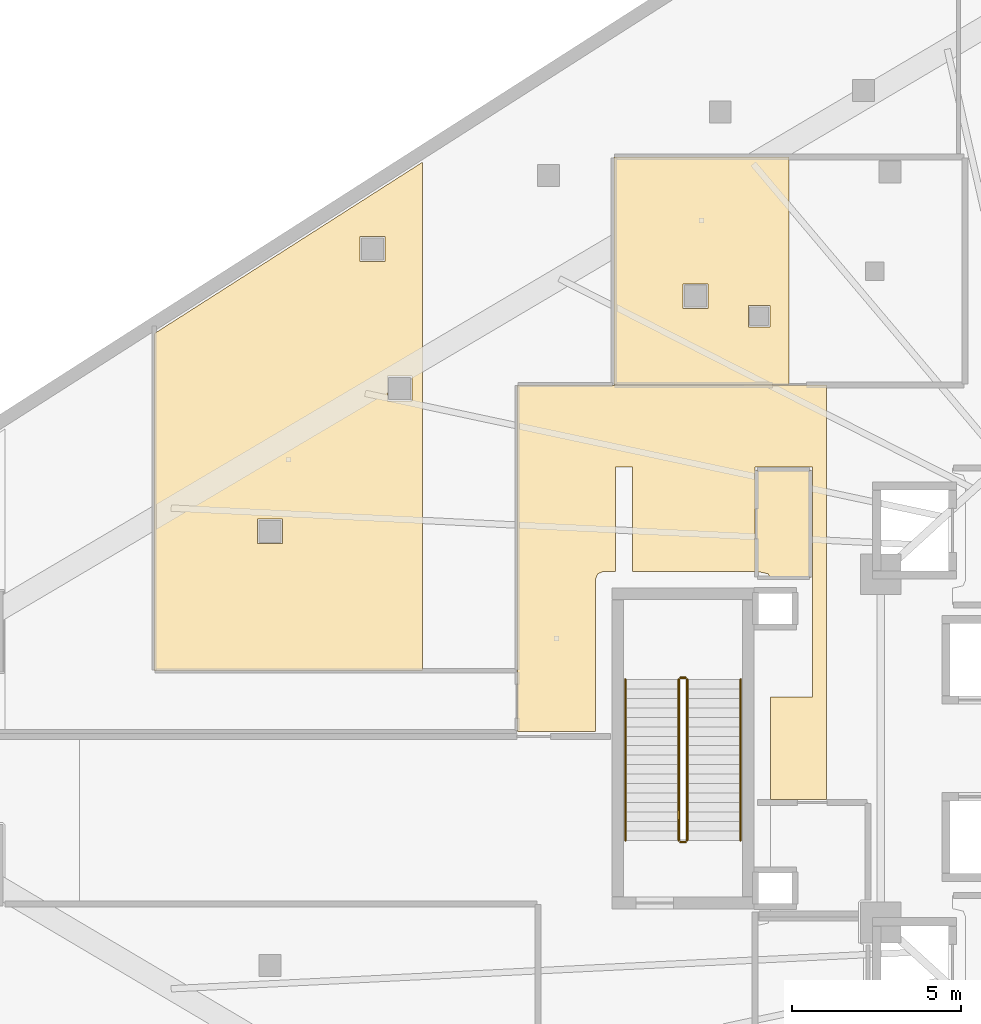
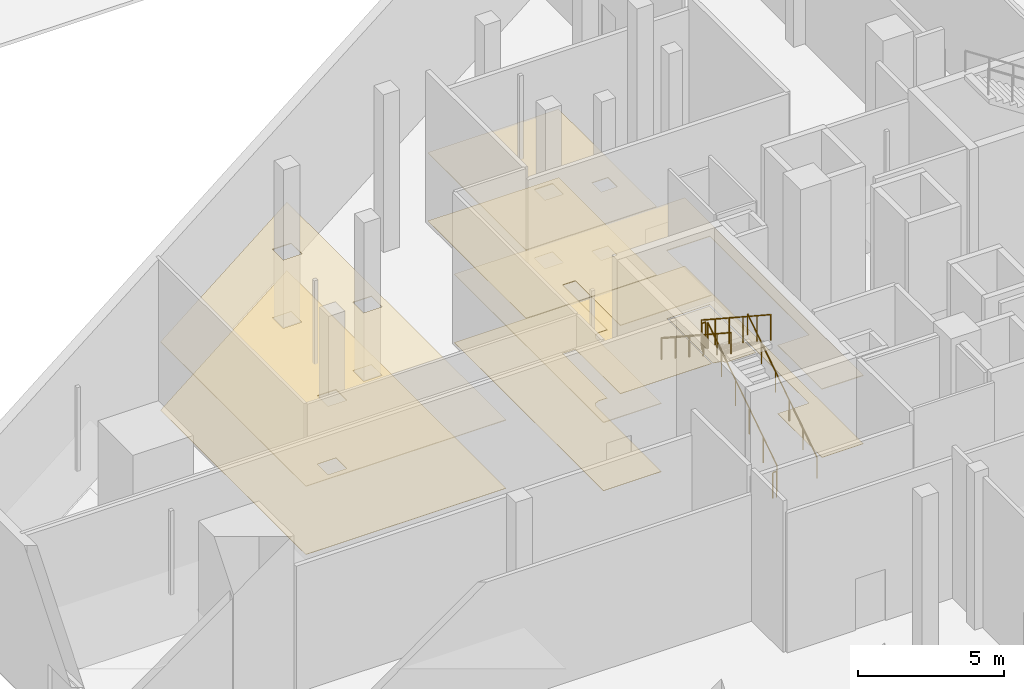
# One storey, part 40 of 45: 7 coverings, 6 railings.
"""IFC4 building model written with IfcOpenShell, lengths in metres."""

from ifc_helpers import new_model, si_unit, direction, frame, origin, origin_2d, place, context, subcontext, project, spatial, polyline, circle, outline, extrude, material, layer, layer_set, type_object, element, save


model = new_model("IFC4")

# Units and contexts
model_context = context("Model", 3, precision=1e-05, world=origin(), true_north=direction((0.0, 1.0)))
body_context = subcontext(model_context, "Body", "Model", "MODEL_VIEW")
ifc_project = project(units=[si_unit("LENGTHUNIT", "METRE"), si_unit("AREAUNIT", "SQUARE_METRE"), si_unit("VOLUMEUNIT", "CUBIC_METRE"), si_unit("PLANEANGLEUNIT", "RADIAN"), si_unit("MASSUNIT", "GRAM", prefix="KILO")], contexts=[model_context])

# Site, building, storey
site_placement = place(None, origin())
site = spatial("IfcSite", under=ifc_project, at=site_placement, CompositionType="ELEMENT")
building_placement = place(site_placement, origin())
building = spatial("IfcBuilding", under=site, at=building_placement, Name="Qorvath Tower", CompositionType="ELEMENT")
storey_placement = place(building_placement, origin())
storey = spatial("IfcBuildingStorey", under=building, at=storey_placement, Name="L00", CompositionType="ELEMENT", Elevation=0.0)

# Coverings
ifc_material_1 = material(Name="Acoustic mineral fibre ceiling tile", Category="gypsum")
ifc_layer_1 = layer(ifc_material_1, 0.030029296875)
ifc_layer_set_1 = layer_set([ifc_layer_1], Name="COV-CEIL")
covering_type_1 = type_object("IfcCoveringType", Name="COV-CEIL", PredefinedType="CEILING", material=ifc_layer_set_1)
covering_1_placement = place(storey_placement, frame((0.0, 0.0, 2.85009765625)))
element("IfcCovering", 1, at=covering_1_placement, inside=storey, type_object=covering_type_1, Name="L00 Suspended Acoustic Ceiling 008", PredefinedType="CEILING", context=body_context, shape_type="SweptSolid", body=[
    extrude(outline(polyline([(-32.52001953125, 1.514892578125), (-33.760009765625, 1.514892578125), (-33.760009765625, -1.514892578125), (-32.114990234375, -1.514892578125), (-32.114990234375, 10.74609375), (-41.2451171875, 10.7451171875), (-41.2451171875, 0.5048828125), (-38.949951171875, 0.5048828125), (-38.949951171875, 4.989990234375), (-38.876708984375, 5.166748046875), (-38.699951171875, 5.239990234375), (-38.35498046875, 5.239990234375), (-38.35009765625, 8.324951171875), (-37.844970703125, 8.320068359375), (-37.844970703125, 5.239990234375), (-34.22509765625, 5.239990234375), (-34.2236328125, 8.323486328125), (-32.516357421875, 8.323486328125), (-32.52001953125, 1.514892578125)])), origin(), (0.0, 0.0, 1.0), 0.030029296875),
])
covering_2_placement = place(storey_placement, frame((0.0, 0.0, 2.85009765625)))
element("IfcCovering", 2, at=covering_2_placement, inside=storey, type_object=covering_type_1, Name="L00 Suspended Acoustic Ceiling 009", PredefinedType="CEILING", context=body_context, shape_type="SweptSolid", body=[
    extrude(outline(polyline([(-33.216064453125, 10.762939453125), (-33.216064453125, 17.4951171875), (-38.39501953125, 17.4951171875), (-38.39501953125, 10.762939453125), (-33.216064453125, 10.762939453125)]), holes=[polyline([(-34.421630859375, 13.10986328125), (-33.786865234375, 13.10986328125), (-33.786865234375, 12.47509765625), (-34.421630859375, 12.47509765625), (-34.421630859375, 13.10986328125)]), polyline([(-36.34814453125, 13.748291015625), (-35.61328125, 13.748291015625), (-35.61328125, 13.013427734375), (-36.34814453125, 13.013427734375), (-36.34814453125, 13.748291015625)])]), origin(), (0.0, 0.0, 1.0), 0.030029296875),
])
covering_3_placement = place(storey_placement, frame((0.0, 0.0, 2.85009765625)))
element("IfcCovering", 3, at=covering_3_placement, inside=storey, type_object=covering_type_1, Name="L00 Suspended Acoustic Ceiling 014", PredefinedType="CEILING", context=body_context, shape_type="SweptSolid", body=[
    extrude(outline(polyline([(-44.06494140625, 2.304931640625), (-44.06494140625, 17.34326171875), (-51.9951171875, 12.27490234375), (-51.9951171875, 2.304931640625), (-44.06494140625, 2.304931640625)]), holes=[polyline([(-45.103759765625, 11.019775390625), (-44.368896484375, 11.019775390625), (-44.368896484375, 10.284912109375), (-45.103759765625, 10.284912109375), (-45.103759765625, 11.019775390625)]), polyline([(-45.90380859375, 15.14208984375), (-45.1689453125, 15.14208984375), (-45.1689453125, 14.4072265625), (-45.90380859375, 14.4072265625), (-45.90380859375, 15.14208984375)]), polyline([(-48.94580078125, 6.7919921875), (-48.2109375, 6.7919921875), (-48.2109375, 6.05712890625), (-48.94580078125, 6.05712890625), (-48.94580078125, 6.7919921875)])]), origin(), (0.0, 0.0, 1.0), 0.030029296875),
])
ifc_material_2 = material(Name="Polished epoxy terrazzo flooring", Category="concrete")
ifc_layer_2 = layer(ifc_material_2, 0.02001953125)
ifc_layer_set_2 = layer_set([ifc_layer_2], Name="COV-FLOOR-TRZ")
covering_type_2 = type_object("IfcCoveringType", Name="COV-FLOOR-TRZ", PredefinedType="FLOORING", material=ifc_layer_set_2)
covering_4_placement = place(storey_placement, origin())
element("IfcCovering", 4, at=covering_4_placement, inside=storey, type_object=covering_type_2, Name="L00 Floor Finish 003", PredefinedType="FLOORING", context=body_context, shape_type="SweptSolid", body=[
    extrude(outline(polyline([(-32.5849609375, 5.054931640625), (-32.5849609375, 8.2451171875), (-34.175048828125, 8.2451171875), (-34.175048828125, 5.239990234375), (-33.833251953125, 5.166748046875), (-33.786865234375, 5.054931640625), (-32.5849609375, 5.054931640625)])), origin(), (0.0, 0.0, 1.0), 0.014892578125),
])
covering_5_placement = place(storey_placement, origin())
element("IfcCovering", 5, at=covering_5_placement, inside=storey, type_object=covering_type_2, Name="L00 Floor Finish 008", PredefinedType="FLOORING", context=body_context, shape_type="SweptSolid", body=[
    extrude(outline(polyline([(-32.52001953125, 1.514892578125), (-33.760009765625, 1.514892578125), (-33.760009765625, -1.514892578125), (-32.114990234375, -1.514892578125), (-32.114990234375, 10.74609375), (-41.2451171875, 10.7451171875), (-41.2451171875, 0.5048828125), (-38.949951171875, 0.5048828125), (-38.949951171875, 4.989990234375), (-38.876708984375, 5.166748046875), (-38.699951171875, 5.239990234375), (-38.35498046875, 5.239990234375), (-38.35009765625, 8.324951171875), (-37.844970703125, 8.320068359375), (-37.844970703125, 5.239990234375), (-34.22509765625, 5.239990234375), (-34.2236328125, 8.323486328125), (-32.516357421875, 8.323486328125), (-32.52001953125, 1.514892578125)])), origin(), (0.0, 0.0, 1.0), 0.014892578125),
])
covering_6_placement = place(storey_placement, origin())
element("IfcCovering", 6, at=covering_6_placement, inside=storey, type_object=covering_type_2, Name="L00 Floor Finish 009", PredefinedType="FLOORING", context=body_context, shape_type="SweptSolid", body=[
    extrude(outline(polyline([(-33.216064453125, 10.762939453125), (-33.216064453125, 17.4951171875), (-38.39501953125, 17.4951171875), (-38.39501953125, 10.762939453125), (-33.216064453125, 10.762939453125)]), holes=[polyline([(-34.421630859375, 13.10986328125), (-33.786865234375, 13.10986328125), (-33.786865234375, 12.47509765625), (-34.421630859375, 12.47509765625), (-34.421630859375, 13.10986328125)]), polyline([(-36.34814453125, 13.748291015625), (-35.61328125, 13.748291015625), (-35.61328125, 13.013427734375), (-36.34814453125, 13.013427734375), (-36.34814453125, 13.748291015625)])]), origin(), (0.0, 0.0, 1.0), 0.014892578125),
])
covering_7_placement = place(storey_placement, origin())
element("IfcCovering", 7, at=covering_7_placement, inside=storey, type_object=covering_type_2, Name="L00 Floor Finish 014", PredefinedType="FLOORING", context=body_context, shape_type="SweptSolid", body=[
    extrude(outline(polyline([(-44.06494140625, 2.304931640625), (-44.06494140625, 17.34326171875), (-51.9951171875, 12.27490234375), (-51.9951171875, 2.304931640625), (-44.06494140625, 2.304931640625)]), holes=[polyline([(-45.103759765625, 11.019775390625), (-44.368896484375, 11.019775390625), (-44.368896484375, 10.284912109375), (-45.103759765625, 10.284912109375), (-45.103759765625, 11.019775390625)]), polyline([(-45.90380859375, 15.14208984375), (-45.1689453125, 15.14208984375), (-45.1689453125, 14.4072265625), (-45.90380859375, 14.4072265625), (-45.90380859375, 15.14208984375)]), polyline([(-48.94580078125, 6.7919921875), (-48.2109375, 6.7919921875), (-48.2109375, 6.05712890625), (-48.94580078125, 6.05712890625), (-48.94580078125, 6.7919921875)])]), origin(), (0.0, 0.0, 1.0), 0.014892578125),
])

# Railings
ifc_material_3 = material(Name="Painted galvanised steel", Category="steel")
railing_type_1 = type_object("IfcRailingType", Name="RL-STR-GRD", PredefinedType="GUARDRAIL", material=ifc_material_3)
railing_1_placement = place(storey_placement, frame((-36.22998046875, -2.719970703125, 0.183349609375)))
element("IfcRailing", 8, at=railing_1_placement, inside=storey, type_object=railing_type_1, Name="L00 TS3 stair guard 1", PredefinedType="GUARDRAIL", context=body_context, shape_type="SweptSolid", body=[
    extrude(circle(Radius=0.02392578125, at=origin_2d()), frame((0.0, 0.0, 1.076171875), z_axis=(0.0, 0.836616421643, 0.547789159291), x_axis=(-1.0, 0.0, 0.0)), (0.0, 0.0, 1.0), 5.689697265625),
    extrude(circle(Radius=0.02099609375, at=origin_2d()), origin(), (0.0, 0.0, 1.0), 1.052001953125),
    extrude(circle(Radius=0.02099609375, at=origin_2d()), frame((0.0, 0.951904296875, 0.623291015625)), (0.0, 0.0, 1.0), 1.052001953125),
    extrude(circle(Radius=0.02099609375, at=origin_2d()), frame((0.0, 1.904052734375, 1.24658203125)), (0.0, 0.0, 1.0), 1.052001953125),
    extrude(circle(Radius=0.02099609375, at=origin_2d()), frame((0.0, 2.85595703125, 1.8701171875)), (0.0, 0.0, 1.0), 1.052001953125),
    extrude(circle(Radius=0.02099609375, at=origin_2d()), frame((0.0, 3.80810546875, 2.493408203125)), (0.0, 0.0, 1.0), 1.052001953125),
    extrude(circle(Radius=0.02099609375, at=origin_2d()), frame((0.0, 4.760009765625, 3.11669921875)), (0.0, 0.0, 1.0), 1.052001953125),
])
railing_2_placement = place(storey_placement, frame((-36.280029296875, 2.090087890625, 3.300048828125)))
element("IfcRailing", 9, at=railing_2_placement, inside=storey, type_object=railing_type_1, Name="L00 TS3 stair guard 2", PredefinedType="GUARDRAIL", context=body_context, shape_type="SweptSolid", body=[
    extrude(circle(Radius=0.02392578125, at=origin_2d()), frame((0.0, 0.0, 1.076171875), z_axis=(-1.0, 0.0, 0.0), x_axis=(0.0, -1.0, 0.0)), (0.0, 0.0, 1.0), 0.14990234375),
    extrude(circle(Radius=0.02099609375, at=origin_2d()), origin(), (0.0, 0.0, 1.0), 1.052001953125),
    extrude(circle(Radius=0.02099609375, at=origin_2d()), frame((-0.14990234375, 0.0, 0.0)), (0.0, 0.0, 1.0), 1.052001953125),
])
railing_3_placement = place(storey_placement, frame((-36.47998046875, 2.0400390625, 3.4833984375)))
element("IfcRailing", 10, at=railing_3_placement, inside=storey, type_object=railing_type_1, Name="L00 TS3 stair guard 3", PredefinedType="GUARDRAIL", context=body_context, shape_type="SweptSolid", body=[
    extrude(circle(Radius=0.02392578125, at=origin_2d()), frame((0.0, 0.0, 1.076171875), z_axis=(0.0, -0.836616421643, 0.547789159291), x_axis=(1.0, 0.0, 0.0)), (0.0, 0.0, 1.0), 5.689697265625),
    extrude(circle(Radius=0.02099609375, at=origin_2d()), origin(), (0.0, 0.0, 1.0), 1.052001953125),
    extrude(circle(Radius=0.02099609375, at=origin_2d()), frame((0.0, -0.951904296875, 0.623291015625)), (0.0, 0.0, 1.0), 1.052001953125),
    extrude(circle(Radius=0.02099609375, at=origin_2d()), frame((0.0, -1.904052734375, 1.24658203125)), (0.0, 0.0, 1.0), 1.052001953125),
    extrude(circle(Radius=0.02099609375, at=origin_2d()), frame((0.0, -2.85595703125, 1.8701171875)), (0.0, 0.0, 1.0), 1.052001953125),
    extrude(circle(Radius=0.02099609375, at=origin_2d()), frame((0.0, -3.80810546875, 2.493408203125)), (0.0, 0.0, 1.0), 1.052001953125),
    extrude(circle(Radius=0.02099609375, at=origin_2d()), frame((0.0, -4.760009765625, 3.11669921875)), (0.0, 0.0, 1.0), 1.052001953125),
])
railing_4_placement = place(storey_placement, frame((-36.280029296875, -2.77001953125, 0.0)))
element("IfcRailing", 11, at=railing_4_placement, inside=storey, type_object=railing_type_1, Name="L00 TS3 stair guard 4", PredefinedType="GUARDRAIL", context=body_context, shape_type="SweptSolid", body=[
    extrude(circle(Radius=0.02392578125, at=origin_2d()), frame((0.0, 0.0, 1.076171875), z_axis=(-1.0, 0.0, 0.0), x_axis=(0.0, -1.0, 0.0)), (0.0, 0.0, 1.0), 0.14990234375),
    extrude(circle(Radius=0.02099609375, at=origin_2d()), origin(), (0.0, 0.0, 1.0), 1.052001953125),
    extrude(circle(Radius=0.02099609375, at=origin_2d()), frame((-0.14990234375, 0.0, 0.0)), (0.0, 0.0, 1.0), 1.052001953125),
])
ifc_material_4 = material(Name="Brushed stainless steel AISI 304", Category="steel")
railing_type_2 = type_object("IfcRailingType", Name="RL-STR-HND", PredefinedType="HANDRAIL", material=ifc_material_4)
railing_5_placement = place(storey_placement, frame((-34.64990234375, -2.719970703125, 0.183349609375)))
element("IfcRailing", 12, at=railing_5_placement, inside=storey, type_object=railing_type_2, Name="L00 TS3 stair handrail 1", PredefinedType="HANDRAIL", context=body_context, shape_type="SweptSolid", body=[
    extrude(circle(Radius=0.02392578125, at=origin_2d()), frame((0.0, 0.0, 0.8759765625), z_axis=(0.0, 0.836616421643, 0.547789159291), x_axis=(-1.0, 0.0, 0.0)), (0.0, 0.0, 1.0), 5.689697265625),
    extrude(circle(Radius=0.02099609375, at=origin_2d()), origin(), (0.0, 0.0, 1.0), 0.851806640625),
    extrude(circle(Radius=0.02099609375, at=origin_2d()), frame((0.0, 0.951904296875, 0.623291015625)), (0.0, 0.0, 1.0), 0.851806640625),
    extrude(circle(Radius=0.02099609375, at=origin_2d()), frame((0.0, 1.904052734375, 1.24658203125)), (0.0, 0.0, 1.0), 0.851806640625),
    extrude(circle(Radius=0.02099609375, at=origin_2d()), frame((0.0, 2.85595703125, 1.8701171875)), (0.0, 0.0, 1.0), 0.851806640625),
    extrude(circle(Radius=0.02099609375, at=origin_2d()), frame((0.0, 3.80810546875, 2.493408203125)), (0.0, 0.0, 1.0), 0.851806640625),
    extrude(circle(Radius=0.02099609375, at=origin_2d()), frame((0.0, 4.760009765625, 3.11669921875)), (0.0, 0.0, 1.0), 0.851806640625),
])
railing_6_placement = place(storey_placement, frame((-38.06005859375, 2.0400390625, 3.4833984375)))
element("IfcRailing", 13, at=railing_6_placement, inside=storey, type_object=railing_type_2, Name="L00 TS3 stair handrail 2", PredefinedType="HANDRAIL", context=body_context, shape_type="SweptSolid", body=[
    extrude(circle(Radius=0.02392578125, at=origin_2d()), frame((0.0, 0.0, 0.8759765625), z_axis=(0.0, -0.836616421643, 0.547789159291), x_axis=(1.0, 0.0, 0.0)), (0.0, 0.0, 1.0), 5.689697265625),
    extrude(circle(Radius=0.02099609375, at=origin_2d()), origin(), (0.0, 0.0, 1.0), 0.851806640625),
    extrude(circle(Radius=0.02099609375, at=origin_2d()), frame((0.0, -0.951904296875, 0.623291015625)), (0.0, 0.0, 1.0), 0.851806640625),
    extrude(circle(Radius=0.02099609375, at=origin_2d()), frame((0.0, -1.904052734375, 1.24658203125)), (0.0, 0.0, 1.0), 0.851806640625),
    extrude(circle(Radius=0.02099609375, at=origin_2d()), frame((0.0, -2.85595703125, 1.8701171875)), (0.0, 0.0, 1.0), 0.851806640625),
    extrude(circle(Radius=0.02099609375, at=origin_2d()), frame((0.0, -3.80810546875, 2.493408203125)), (0.0, 0.0, 1.0), 0.851806640625),
    extrude(circle(Radius=0.02099609375, at=origin_2d()), frame((0.0, -4.760009765625, 3.11669921875)), (0.0, 0.0, 1.0), 0.851806640625),
])

save(model, "model.ifc")
